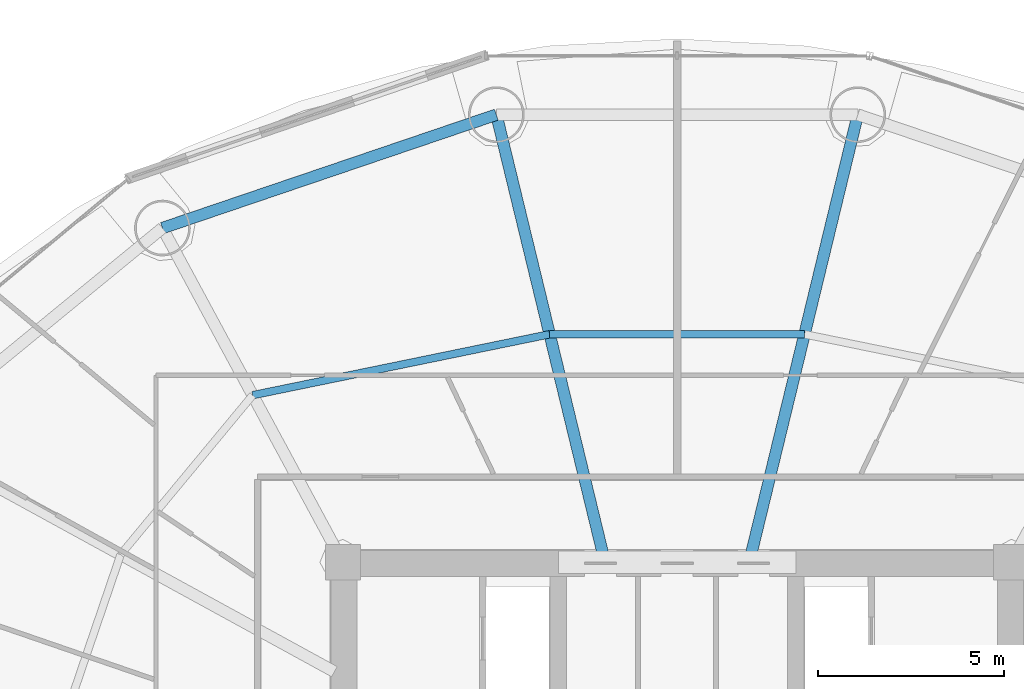
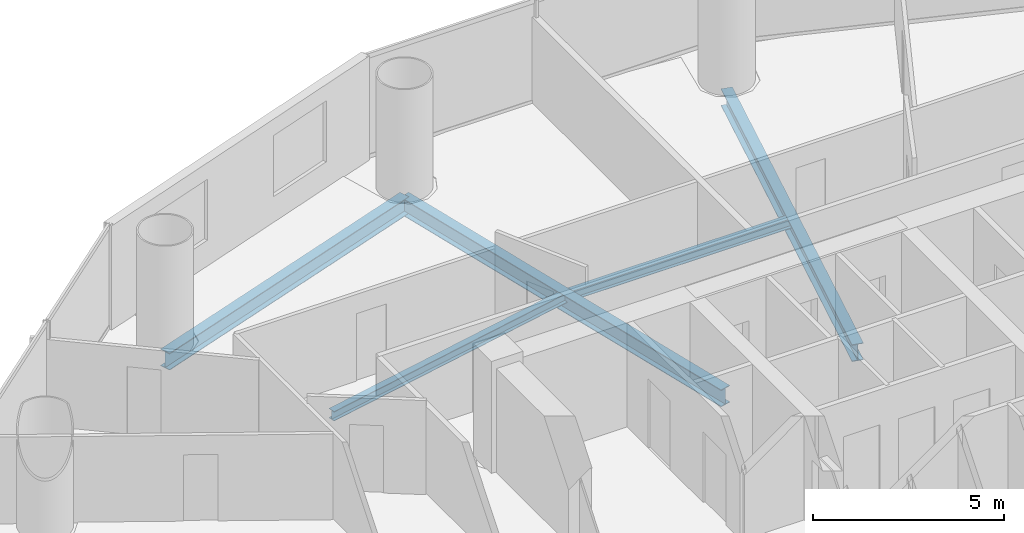
# One storey, part 17 of 29: 5 beams.
"""IFC4 building model written with IfcOpenShell, lengths in metres."""

from ifc_helpers import new_model, si_unit, direction, frame, origin, origin_2d, place, context, subcontext, project, spatial, i_section, extrude, material, material_profile, profile_set, type_object, element, save


model = new_model("IFC4")

# Units and contexts
model_context = context("Model", 3, precision=1e-05, world=origin(), true_north=direction((-0.2419218956, 0.970295726276)))
body_context = subcontext(model_context, "Body", "Model", "MODEL_VIEW")
ifc_project = project(units=[si_unit("LENGTHUNIT", "METRE"), si_unit("AREAUNIT", "SQUARE_METRE"), si_unit("VOLUMEUNIT", "CUBIC_METRE"), si_unit("PLANEANGLEUNIT", "RADIAN"), si_unit("MASSUNIT", "GRAM", prefix="KILO")], contexts=[model_context])

# Site, building, storey
site_placement = place(None, origin())
site = spatial("IfcSite", under=ifc_project, at=site_placement, CompositionType="ELEMENT")
building_placement = place(site_placement, origin())
building = spatial("IfcBuilding", under=site, at=building_placement, Name="Cobrevalo Terracotta Tower", CompositionType="ELEMENT")
storey_placement = place(building_placement, frame((0.0, 0.0, 87.0)))
storey = spatial("IfcBuildingStorey", under=building, at=storey_placement, Name="L22", CompositionType="ELEMENT", Elevation=87.0)

# Beams
ifc_material = material(Name="Steel S355", Category="steel")
ifc_material_profile_1 = material_profile(ifc_material, i_section(OverallWidth=0.31201171875, OverallDepth=0.54296875, WebThickness=0.0126953125, FlangeThickness=0.020263671875, at=origin_2d()), Name="W 530x150")
ifc_profile_set_1 = profile_set([ifc_material_profile_1], Name="Steel S355")
beam_type_1 = type_object("IfcBeamType", Name="Structural Beam W 530x150 (Steel S355)", PredefinedType="BEAM", material=ifc_profile_set_1)
for number, where, z_axis, x_axis, name in (
    (1, (42.867431640625, 46.857177734375, -0.54638671875), (-0.235827379387, -0.971794961467, 0.0), (0.971794961467, -0.235827379387, 0.0), "L22 radial floor girder 04"),
    (2, (33.132568359375, 46.857177734375, -0.54638671875), (0.235827379387, -0.971794961467, 0.0), (0.971794961467, 0.235827379387, 0.0), "L22 radial floor girder 05"),
):
    element("IfcBeam", number, at=place(storey_placement, frame(where, z_axis=z_axis, x_axis=x_axis)), inside=storey, type_object=beam_type_1, Name=name, PredefinedType="BEAM", context=body_context, shape_type="SweptSolid", body=[
        extrude(i_section(OverallWidth=0.31201171875, OverallDepth=0.54296875, WebThickness=0.0126953125, FlangeThickness=0.020263671875, at=origin_2d()), origin(), (0.0, 0.0, 1.0), 12.17041015625),
    ])
ifc_material_profile_2 = material_profile(ifc_material, i_section(OverallWidth=0.2041015625, OverallDepth=0.305908203125, WebThickness=0.008544921875, FlangeThickness=0.0146484375, at=origin_2d()), Name="W 310x67")
ifc_profile_set_2 = profile_set([ifc_material_profile_2], Name="Steel S355")
beam_type_2 = type_object("IfcBeamType", Name="Structural Joist W 310x67 (Steel S355)", PredefinedType="JOIST", material=ifc_profile_set_2)
beam_1_placement = place(storey_placement, frame((41.432373046875, 40.943603515625, -0.427978515625), z_axis=(-1.0, 0.0, 0.0), x_axis=(0.0, -1.0, 0.0)))
element("IfcBeam", 3, at=beam_1_placement, inside=storey, type_object=beam_type_2, Name="L22 circumferential secondary floor joist 04", PredefinedType="JOIST", context=body_context, shape_type="SweptSolid", body=[
    extrude(i_section(OverallWidth=0.2041015625, OverallDepth=0.305908203125, WebThickness=0.008544921875, FlangeThickness=0.0146484375, at=origin_2d()), origin(), (0.0, 0.0, 1.0), 6.86474609375),
])
beam_2_placement = place(storey_placement, frame((34.567626953125, 40.943603515625, -0.427978515625), z_axis=(-0.979574469315, -0.201081722357, 0.0), x_axis=(0.201081722357, -0.979574469315, 0.0)))
element("IfcBeam", 4, at=beam_2_placement, inside=storey, type_object=beam_type_2, Name="L22 circumferential secondary floor joist 05", PredefinedType="JOIST", context=body_context, shape_type="SweptSolid", body=[
    extrude(i_section(OverallWidth=0.2041015625, OverallDepth=0.305908203125, WebThickness=0.008544921875, FlangeThickness=0.0146484375, at=origin_2d()), origin(), (0.0, 0.0, 1.0), 8.1650390625),
])
ifc_material_profile_3 = material_profile(ifc_material, i_section(OverallWidth=0.31201171875, OverallDepth=0.54296875, WebThickness=0.0126953125, FlangeThickness=0.020263671875, at=origin_2d()), Name="W 530x150")
ifc_profile_set_3 = profile_set([ifc_material_profile_3], Name="Steel S355")
beam_type_3 = type_object("IfcBeamType", Name="Structural Spandrel W 530x150 (Steel S355)", PredefinedType="SPANDREL", material=ifc_profile_set_3)
beam_3_placement = place(storey_placement, frame((33.132568359375, 46.857177734375, -0.54638671875), z_axis=(-0.946910528816, -0.32149720126, 0.0), x_axis=(0.32149720126, -0.946910528816, 0.0)))
element("IfcBeam", 5, at=beam_3_placement, inside=storey, type_object=beam_type_3, Name="L22 perimeter ring spandrel 05", PredefinedType="SPANDREL", context=body_context, shape_type="SweptSolid", body=[
    extrude(i_section(OverallWidth=0.31201171875, OverallDepth=0.54296875, WebThickness=0.0126953125, FlangeThickness=0.020263671875, at=origin_2d()), origin(), (0.0, 0.0, 1.0), 9.498291015625),
])

save(model, "model.ifc")
